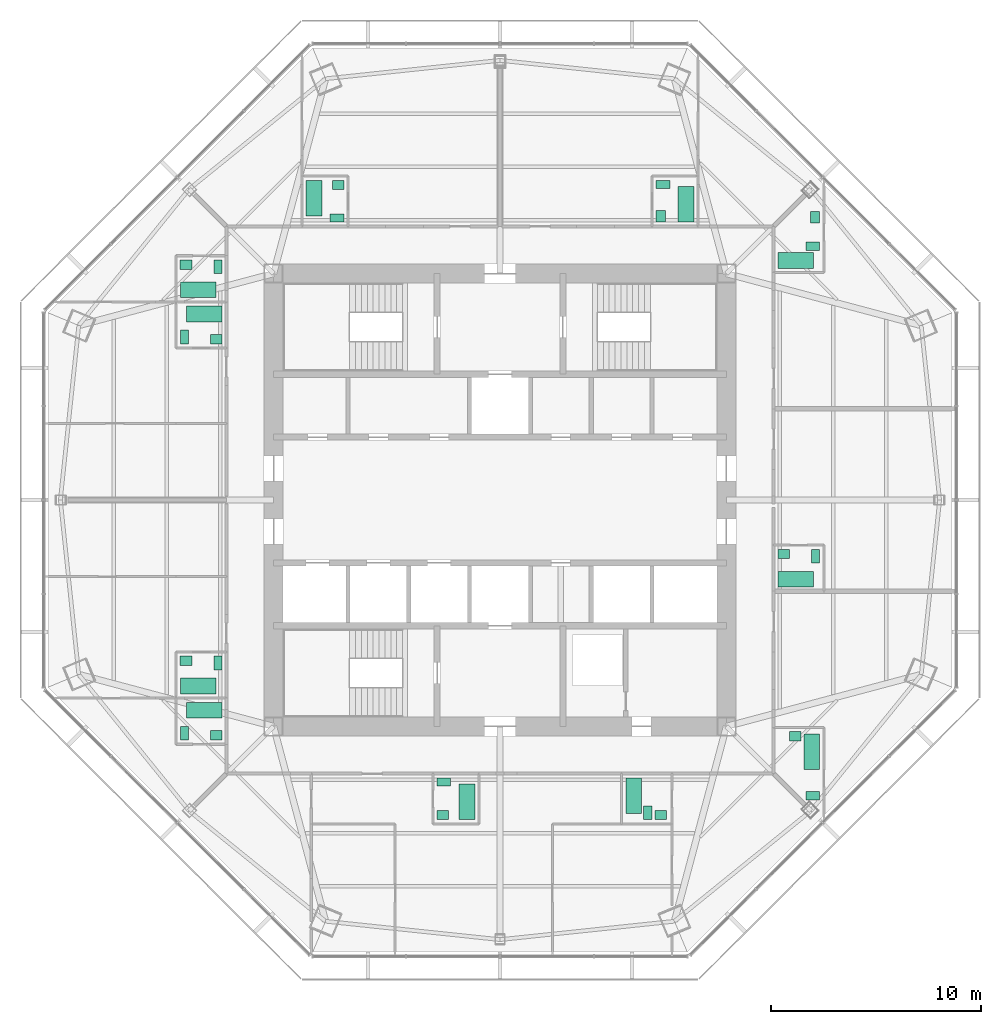
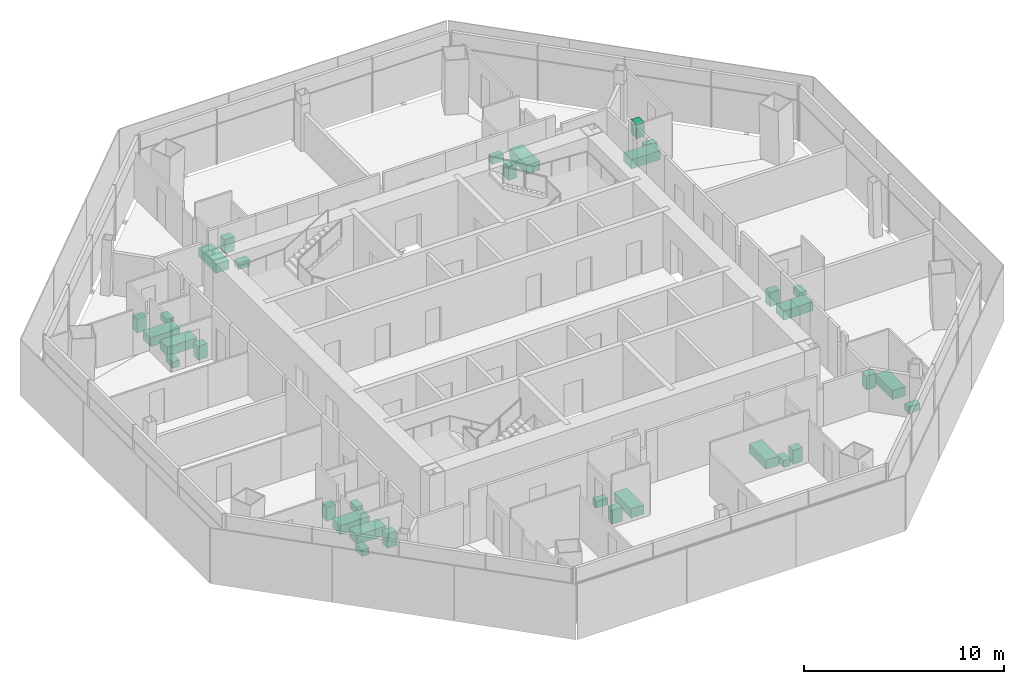
# One storey, part 15 of 15: 33 sanitary terminals.
"""IFC4 building model written with IfcOpenShell, lengths in metres."""

from ifc_helpers import new_model, si_unit, direction, frame, origin, origin_2d, place, context, subcontext, project, spatial, rectangle, extrude, material, type_object, element, save


model = new_model("IFC4")

# Units and contexts
model_context = context("Model", 3, precision=1e-05, world=origin(), true_north=direction((0.0, 1.0)))
body_context = subcontext(model_context, "Body", "Model", "MODEL_VIEW")
ifc_project = project(units=[si_unit("LENGTHUNIT", "METRE"), si_unit("AREAUNIT", "SQUARE_METRE"), si_unit("VOLUMEUNIT", "CUBIC_METRE"), si_unit("PLANEANGLEUNIT", "RADIAN"), si_unit("MASSUNIT", "GRAM", prefix="KILO")], contexts=[model_context])

# Site, building, storey
site_placement = place(None, origin())
site = spatial("IfcSite", under=ifc_project, at=site_placement, CompositionType="ELEMENT")
building_placement = place(site_placement, origin())
building = spatial("IfcBuilding", under=site, at=building_placement, Name="Mashrafa Tower", CompositionType="ELEMENT")
storey_placement = place(building_placement, frame((0.0, 0.0, 221.0)))
storey = spatial("IfcBuildingStorey", under=building, at=storey_placement, Name="L51", CompositionType="ELEMENT", Elevation=221.0)

# Sanitary terminals
ifc_material_1 = material(Name="Enamelled steel", Category="steel")
sanitary_terminal_type_1 = type_object("IfcSanitaryTerminalType", Name="Bath 1700 x 750", PredefinedType="BATH", material=ifc_material_1)
for number, where, z_axis, x_axis, name in (
    (1, (14.875, -12.00830078125, 0.0), (0.0, 0.0, 1.0), (0.0, 1.0, 0.0), "Bath Apartment 5101 Bathroom"),
    (2, (14.10009765625, -3.77490234375, 0.0), (0.0, 0.0, 1.0), (1.0, 0.0, 0.0), "Bath Apartment 5102 Bathroom"),
    (3, (14.10009765625, 11.425048828125, 0.0), (0.0, 0.0, 1.0), (1.0, 0.0, 0.0), "Bath Apartment 5103 Bathroom"),
    (4, (8.875, 14.10009765625, 0.0), (0.0, 0.0, 1.0), (0.0, 1.0, 0.0), "Bath Apartment 5104 Bathroom"),
    (5, (-8.875, 14.39990234375, 0.0), (0.0, 0.0, 1.0), (0.0, -1.0, 0.0), "Bath Apartment 5105 Bathroom"),
    (6, (-14.39990234375, 10.02490234375, 0.0), (0.0, 0.0, 1.0), (1.0, 0.0, 0.0), "Bath Apartment 5106 En-suite Bathroom"),
    (7, (-14.10009765625, 8.875, 0.0), (0.0, 0.0, 1.0), (-1.0, 0.0, 0.0), "Bath Apartment 5106 Bathroom"),
    (8, (-14.10009765625, -10.02490234375, 0.0), (0.0, 0.0, 1.0), (-1.0, 0.0, 0.0), "Bath Apartment 5107 En-suite Bathroom"),
    (9, (-14.39990234375, -8.875, 0.0), (0.0, 0.0, 1.0), (1.0, 0.0, 0.0), "Bath Apartment 5107 Bathroom"),
    (10, (-1.574951171875, -14.39990234375, 0.0), (0.0, 0.0, 1.0), (0.0, 1.0, 0.0), "Bath Apartment 5108 Bathroom"),
    (11, (6.375, -14.10009765625, 0.0), (0.0, 0.0, 1.0), (0.0, -1.0, 0.0), "Bath Apartment 5108 En-suite Bathroom"),
):
    element("IfcSanitaryTerminal", number, at=place(storey_placement, frame(where, z_axis=z_axis, x_axis=x_axis)), inside=storey, type_object=sanitary_terminal_type_1, Name=name, PredefinedType="BATH", context=body_context, shape_type="SweptSolid", body=[
        extrude(rectangle(XDim=1.699951171875, YDim=0.75, at=origin_2d()), origin(), (0.0, 0.0, 1.0), 0.550048828125),
    ])
ifc_material_2 = material(Name="Vitreous china")
sanitary_terminal_type_2 = type_object("IfcSanitaryTerminalType", Name="Toilet pan 400 x 650", PredefinedType="TOILETPAN", material=ifc_material_2)
for number, where, z_axis, x_axis, name in (
    (12, (14.925048828125, -14.108154296875, 0.0), (0.0, 0.0, 1.0), (0.0, 1.0, 0.0), "Toilet pan Apartment 5101 Bathroom"),
    (13, (15.050048828125, -2.675048828125, 0.0), (0.0, 0.0, 1.0), (-1.0, 0.0, 0.0), "Toilet pan Apartment 5102 Bathroom"),
    (14, (14.925048828125, 12.10009765625, 0.0), (0.0, 0.0, 1.0), (0.0, 1.0, 0.0), "Toilet pan Apartment 5103 Bathroom"),
    (15, (7.77490234375, 15.050048828125, 0.0), (0.0, 0.0, 1.0), (0.0, -1.0, 0.0), "Toilet pan Apartment 5104 Bathroom"),
    (16, (-7.77490234375, 13.449951171875, 0.0), (0.0, 0.0, 1.0), (0.0, 1.0, 0.0), "Toilet pan Apartment 5105 Bathroom"),
    (17, (-13.449951171875, 11.125, 0.0), (0.0, 0.0, 1.0), (-1.0, 0.0, 0.0), "Toilet pan Apartment 5106 En-suite Bathroom"),
    (18, (-15.050048828125, 7.77490234375, 0.0), (0.0, 0.0, 1.0), (1.0, 0.0, 0.0), "Toilet pan Apartment 5106 Bathroom"),
    (19, (-15.050048828125, -11.125, 0.0), (0.0, 0.0, 1.0), (1.0, 0.0, 0.0), "Toilet pan Apartment 5107 En-suite Bathroom"),
    (20, (-13.449951171875, -7.77490234375, 0.0), (0.0, 0.0, 1.0), (-1.0, 0.0, 0.0), "Toilet pan Apartment 5107 Bathroom"),
    (21, (-2.675048828125, -13.449951171875, 0.0), (0.0, 0.0, 1.0), (0.0, -1.0, 0.0), "Toilet pan Apartment 5108 Bathroom"),
    (22, (7.050048828125, -14.925048828125, 0.0), (0.0, 0.0, 1.0), (1.0, 0.0, 0.0), "Toilet pan Apartment 5108 En-suite Bathroom"),
):
    element("IfcSanitaryTerminal", number, at=place(storey_placement, frame(where, z_axis=z_axis, x_axis=x_axis)), inside=storey, type_object=sanitary_terminal_type_2, Name=name, PredefinedType="TOILETPAN", context=body_context, shape_type="SweptSolid", body=[
        extrude(rectangle(XDim=0.39990234375, YDim=0.64990234375, at=origin_2d()), origin(), (0.0, 0.0, 1.0), 0.39990234375),
    ])
ifc_material_3 = material(Name="Vitreous china")
sanitary_terminal_type_3 = type_object("IfcSanitaryTerminalType", Name="Wash basin 550 x 450", PredefinedType="WASHHANDBASIN", material=ifc_material_3)
for number, where, z_axis, x_axis, name in (
    (23, (14.074951171875, -11.27490234375, 0.0), (0.0, 0.0, 1.0), (-1.0, 0.0, 0.0), "Wash basin Apartment 5101 Bathroom"),
    (24, (13.52490234375, -2.574951171875, 0.0), (0.0, 0.0, 1.0), (-1.0, 0.0, 0.0), "Wash basin Apartment 5102 Bathroom"),
    (25, (15.02490234375, 13.47509765625, 0.0), (0.0, 0.0, 1.0), (0.0, 1.0, 0.0), "Wash basin Apartment 5103 Bathroom"),
    (26, (7.675048828125, 13.52490234375, 0.0), (0.0, 0.0, 1.0), (0.0, -1.0, 0.0), "Wash basin Apartment 5104 Bathroom"),
    (27, (-7.72509765625, 15.02490234375, 0.0), (0.0, 0.0, 1.0), (-1.0, 0.0, 0.0), "Wash basin Apartment 5105 Bathroom"),
    (28, (-14.97509765625, 11.22509765625, 0.0), (0.0, 0.0, 1.0), (-1.0, 0.0, 0.0), "Wash basin Apartment 5106 En-suite Bathroom"),
    (29, (-13.52490234375, 7.675048828125, 0.0), (0.0, 0.0, 1.0), (1.0, 0.0, 0.0), "Wash basin Apartment 5106 Bathroom"),
    (30, (-13.52490234375, -11.22509765625, 0.0), (0.0, 0.0, 1.0), (1.0, 0.0, 0.0), "Wash basin Apartment 5107 En-suite Bathroom"),
    (31, (-14.97509765625, -7.675048828125, 0.0), (0.0, 0.0, 1.0), (-1.0, 0.0, 0.0), "Wash basin Apartment 5107 Bathroom"),
    (32, (-2.72509765625, -15.02490234375, 0.0), (0.0, 0.0, 1.0), (1.0, 0.0, 0.0), "Wash basin Apartment 5108 Bathroom"),
    (33, (7.675048828125, -15.02490234375, 0.0), (0.0, 0.0, 1.0), (1.0, 0.0, 0.0), "Wash basin Apartment 5108 En-suite Bathroom"),
):
    element("IfcSanitaryTerminal", number, at=place(storey_placement, frame(where, z_axis=z_axis, x_axis=x_axis)), inside=storey, type_object=sanitary_terminal_type_3, Name=name, PredefinedType="WASHHANDBASIN", context=body_context, shape_type="SweptSolid", body=[
        extrude(rectangle(XDim=0.550048828125, YDim=0.449951171875, at=origin_2d()), origin(), (0.0, 0.0, 1.0), 0.85009765625),
    ])

save(model, "model.ifc")
